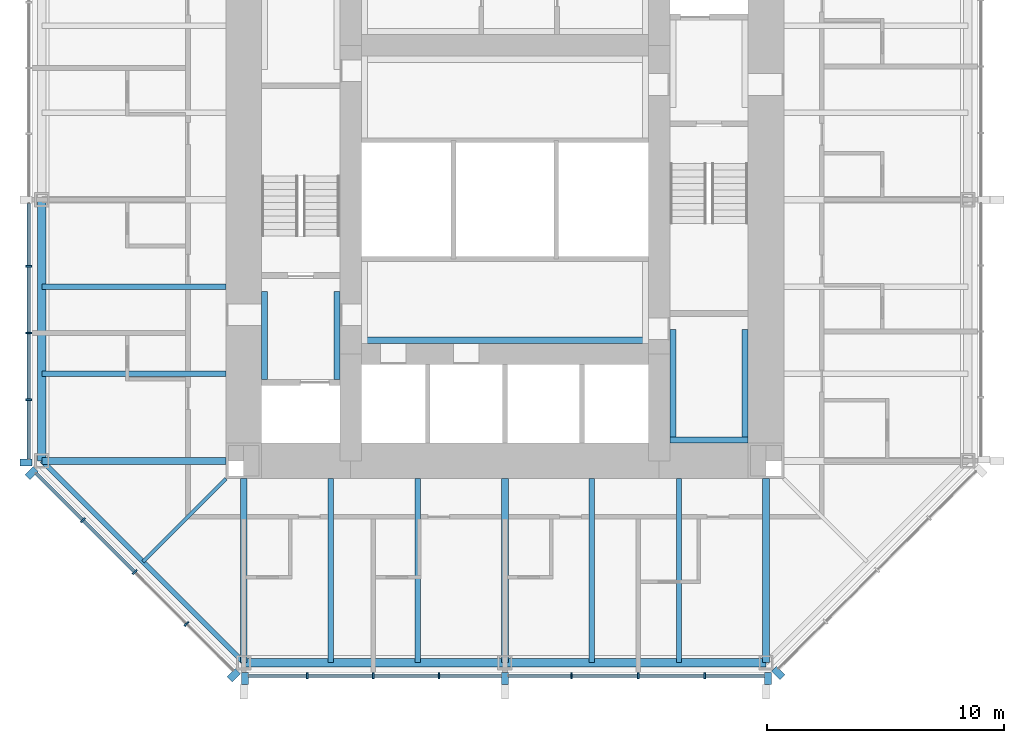
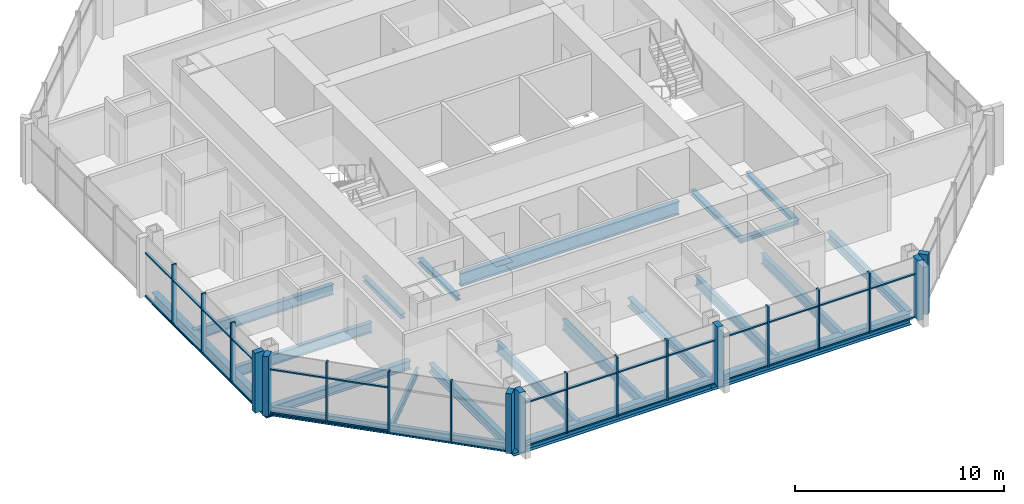
# One storey, part 2 of 12: 47 members, 21 beams, 4 elements without a shape of their own.
"""IFC4 building model written with IfcOpenShell, lengths in metres."""

from ifc_helpers import new_model, si_unit, direction, frame, origin, origin_2d, place, context, subcontext, project, spatial, rectangle, i_section, extrude, material, material_profile, profile_set, type_object, element, aggregate, save


model = new_model("IFC4")

# Units and contexts
model_context = context("Model", 3, precision=1e-05, world=origin(), true_north=direction((0.0, 1.0)))
body_context = subcontext(model_context, "Body", "Model", "MODEL_VIEW")
ifc_project = project(units=[si_unit("LENGTHUNIT", "METRE"), si_unit("AREAUNIT", "SQUARE_METRE"), si_unit("VOLUMEUNIT", "CUBIC_METRE"), si_unit("PLANEANGLEUNIT", "RADIAN"), si_unit("MASSUNIT", "GRAM", prefix="KILO")], contexts=[model_context])

# Site, building, storey
site_placement = place(None, origin())
site = spatial("IfcSite", under=ifc_project, at=site_placement, CompositionType="ELEMENT")
building_placement = place(site_placement, origin())
building = spatial("IfcBuilding", under=site, at=building_placement, Name="Trevanion Tower", CompositionType="ELEMENT")
storey_placement = place(building_placement, frame((0.0, 0.0, 190.699951171875)))
storey = spatial("IfcBuildingStorey", under=building, at=storey_placement, Name="L44", CompositionType="ELEMENT", Elevation=190.699951171875)

# Beams
ifc_material_1 = material(Name="Steel ASTM A992 Grade 50", Category="steel")
ifc_material_profile_1 = material_profile(ifc_material_1, i_section(OverallWidth=0.228271484375, OverallDepth=0.607177734375, WebThickness=0.01123046875, FlangeThickness=0.017333984375, at=origin_2d()), Name="W24X76")
ifc_profile_set_1 = profile_set([ifc_material_profile_1], Name="Steel ASTM A992 Grade 50")
beam_type_1 = type_object("IfcBeamType", Name="B11 W24X76", PredefinedType="BEAM", material=ifc_profile_set_1)
for number, where, z_axis, x_axis, name in (
    (1, (-11.75, -3.666748046875, -0.493408203125), (-1.0, 0.0, 0.0), (0.0, -1.0, 0.0), "B11 L44"),
    (2, (-11.75, -7.333251953125, -0.493408203125), (-1.0, 0.0, 0.0), (0.0, -1.0, 0.0), "B11 L44"),
    (3, (-7.333251953125, -11.75, -0.493408203125), (0.0, -1.0, 0.0), (1.0, 0.0, 0.0), "B11 L44"),
    (4, (-3.666748046875, -11.75, -0.493408203125), (0.0, -1.0, 0.0), (1.0, 0.0, 0.0), "B11 L44"),
    (5, (3.666748046875, -11.75, -0.493408203125), (0.0, -1.0, 0.0), (1.0, 0.0, 0.0), "B11 L44"),
    (6, (7.333251953125, -11.75, -0.493408203125), (0.0, -1.0, 0.0), (1.0, 0.0, 0.0), "B11 L44"),
):
    element("IfcBeam", number, at=place(storey_placement, frame(where, z_axis=z_axis, x_axis=x_axis)), inside=storey, type_object=beam_type_1, Name=name, PredefinedType="BEAM", context=body_context, shape_type="SweptSolid", body=[
        extrude(i_section(OverallWidth=0.228271484375, OverallDepth=0.607177734375, WebThickness=0.01123046875, FlangeThickness=0.017333984375, at=origin_2d()), origin(), (0.0, 0.0, 1.0), 7.75),
    ])
ifc_material_2 = material(Name="Steel ASTM A992 Grade 50", Category="steel")
ifc_material_profile_2 = material_profile(ifc_material_2, i_section(OverallWidth=0.15234375, OverallDepth=0.449462890625, WebThickness=0.007568359375, FlangeThickness=0.0107421875, at=origin_2d()), Name="W18X35")
ifc_profile_set_2 = profile_set([ifc_material_profile_2], Name="Steel ASTM A992 Grade 50")
beam_type_2 = type_object("IfcBeamType", Name="B12 W18X35", PredefinedType="BEAM", material=ifc_profile_set_2)
beam_1_placement = place(storey_placement, frame((-11.75, -11.75, -0.414794921875), z_axis=(-0.707106781187, -0.707106781187, 0.0), x_axis=(0.707106781187, -0.707106781187, 0.0)))
element("IfcBeam", 7, at=beam_1_placement, inside=storey, type_object=beam_type_2, Name="B12 L44", PredefinedType="BEAM", context=body_context, shape_type="SweptSolid", body=[
    extrude(i_section(OverallWidth=0.15234375, OverallDepth=0.449462890625, WebThickness=0.007568359375, FlangeThickness=0.0107421875, at=origin_2d()), origin(), (0.0, 0.0, 1.0), 4.94970703125),
])

# Curtain wall, members
ifc_material_3 = material(Name="Aluminium and glass", Category="aluminium")
curtain_wall_type = type_object("IfcCurtainWallType", Name="CW3 curtain wall", PredefinedType="USERDEFINED", material=ifc_material_3)
curtain_wall_1_placement = place(storey_placement, origin())
curtain_wall_1 = element("IfcCurtainWall", 8, at=curtain_wall_1_placement, inside=storey, type_object=curtain_wall_type, Name="CW3 L44 4", ObjectType="UNITISED CURTAIN WALL", PredefinedType="USERDEFINED")
ifc_material_4 = material(Name="Aluminium extrusion, anodised bronze", Category="aluminium")
ifc_material_profile_3 = material_profile(ifc_material_4, rectangle(XDim=0.074951171875, YDim=0.25, at=origin_2d()), Name="CW3 mullion")
ifc_profile_set_3 = profile_set([ifc_material_profile_3], Name="Aluminium extrusion, anodised bronze")
member_type_1 = type_object("IfcMemberType", Name="CW3 mullion", PredefinedType="MULLION", material=ifc_profile_set_3)
member_1_placement = place(storey_placement, frame((-20.050048828125, -2.806884765625, -0.18994140625), z_axis=(0.0, 0.0, 1.0), x_axis=(0.0, -1.0, 0.0)))
member_1 = element("IfcMember", 9, at=member_1_placement, type_object=member_type_1, Name="CW3 mullion 6", PredefinedType="MULLION", context=body_context, shape_type="SweptSolid", body=[
    extrude(rectangle(XDim=0.074951171875, YDim=0.25, at=origin_2d()), origin(), (0.0, 0.0, 1.0), 3.5),
])
member_2_placement = place(storey_placement, frame((-20.050048828125, -5.614013671875, -0.18994140625), z_axis=(0.0, 0.0, 1.0), x_axis=(0.0, -1.0, 0.0)))
member_2 = element("IfcMember", 10, at=member_2_placement, type_object=member_type_1, Name="CW3 mullion 7", PredefinedType="MULLION", context=body_context, shape_type="SweptSolid", body=[
    extrude(rectangle(XDim=0.074951171875, YDim=0.25, at=origin_2d()), origin(), (0.0, 0.0, 1.0), 3.5),
])
member_3_placement = place(storey_placement, frame((-20.050048828125, -8.4208984375, -0.18994140625), z_axis=(0.0, 0.0, 1.0), x_axis=(0.0, -1.0, 0.0)))
member_3 = element("IfcMember", 11, at=member_3_placement, type_object=member_type_1, Name="CW3 mullion 8", PredefinedType="MULLION", context=body_context, shape_type="SweptSolid", body=[
    extrude(rectangle(XDim=0.074951171875, YDim=0.25, at=origin_2d()), origin(), (0.0, 0.0, 1.0), 3.5),
])

curtain_wall_2_placement = place(storey_placement, origin())
curtain_wall_2 = element("IfcCurtainWall", 12, at=curtain_wall_2_placement, inside=storey, type_object=curtain_wall_type, Name="CW3 L44 5", ObjectType="UNITISED CURTAIN WALL", PredefinedType="USERDEFINED")
member_4_placement = place(storey_placement, frame((-17.775390625, -13.502197265625, -0.18994140625), z_axis=(0.0, 0.0, 1.0), x_axis=(0.707106781187, -0.707106781187, 0.0)))
member_4 = element("IfcMember", 13, at=member_4_placement, type_object=member_type_1, Name="CW3 mullion 2", PredefinedType="MULLION", context=body_context, shape_type="SweptSolid", body=[
    extrude(rectangle(XDim=0.074951171875, YDim=0.25, at=origin_2d()), origin(), (0.0, 0.0, 1.0), 3.5),
])
member_5_placement = place(storey_placement, frame((-15.593017578125, -15.684814453125, -0.18994140625), z_axis=(0.0, 0.0, 1.0), x_axis=(0.707106781187, -0.707106781187, 0.0)))
member_5 = element("IfcMember", 14, at=member_5_placement, type_object=member_type_1, Name="CW3 mullion 3", PredefinedType="MULLION", context=body_context, shape_type="SweptSolid", body=[
    extrude(rectangle(XDim=0.074951171875, YDim=0.25, at=origin_2d()), origin(), (0.0, 0.0, 1.0), 3.5),
])
member_6_placement = place(storey_placement, frame((-13.410400390625, -17.867431640625, -0.18994140625), z_axis=(0.0, 0.0, 1.0), x_axis=(0.707106781187, -0.707106781187, 0.0)))
member_6 = element("IfcMember", 15, at=member_6_placement, type_object=member_type_1, Name="CW3 mullion 4", PredefinedType="MULLION", context=body_context, shape_type="SweptSolid", body=[
    extrude(rectangle(XDim=0.074951171875, YDim=0.25, at=origin_2d()), origin(), (0.0, 0.0, 1.0), 3.5),
])

curtain_wall_3_placement = place(storey_placement, origin())
curtain_wall_3 = element("IfcCurtainWall", 16, at=curtain_wall_3_placement, inside=storey, type_object=curtain_wall_type, Name="CW3 L44 6", ObjectType="UNITISED CURTAIN WALL", PredefinedType="USERDEFINED")
member_7_placement = place(storey_placement, frame((-8.323486328125, -20.050048828125, -0.18994140625), z_axis=(0.0, 0.0, 1.0), x_axis=(1.0, 0.0, 0.0)))
member_7 = element("IfcMember", 17, at=member_7_placement, type_object=member_type_1, Name="CW3 mullion 2", PredefinedType="MULLION", context=body_context, shape_type="SweptSolid", body=[
    extrude(rectangle(XDim=0.074951171875, YDim=0.25, at=origin_2d()), origin(), (0.0, 0.0, 1.0), 3.5),
])
member_8_placement = place(storey_placement, frame((-5.548828125, -20.050048828125, -0.18994140625), z_axis=(0.0, 0.0, 1.0), x_axis=(1.0, 0.0, 0.0)))
member_8 = element("IfcMember", 18, at=member_8_placement, type_object=member_type_1, Name="CW3 mullion 3", PredefinedType="MULLION", context=body_context, shape_type="SweptSolid", body=[
    extrude(rectangle(XDim=0.074951171875, YDim=0.25, at=origin_2d()), origin(), (0.0, 0.0, 1.0), 3.5),
])
member_9_placement = place(storey_placement, frame((-2.7744140625, -20.050048828125, -0.18994140625), z_axis=(0.0, 0.0, 1.0), x_axis=(1.0, 0.0, 0.0)))
member_9 = element("IfcMember", 19, at=member_9_placement, type_object=member_type_1, Name="CW3 mullion 4", PredefinedType="MULLION", context=body_context, shape_type="SweptSolid", body=[
    extrude(rectangle(XDim=0.074951171875, YDim=0.25, at=origin_2d()), origin(), (0.0, 0.0, 1.0), 3.5),
])
member_10_placement = place(storey_placement, frame((2.806884765625, -20.050048828125, -0.18994140625), z_axis=(0.0, 0.0, 1.0), x_axis=(1.0, 0.0, 0.0)))
member_10 = element("IfcMember", 20, at=member_10_placement, type_object=member_type_1, Name="CW3 mullion 6", PredefinedType="MULLION", context=body_context, shape_type="SweptSolid", body=[
    extrude(rectangle(XDim=0.074951171875, YDim=0.25, at=origin_2d()), origin(), (0.0, 0.0, 1.0), 3.5),
])
member_11_placement = place(storey_placement, frame((5.614013671875, -20.050048828125, -0.18994140625), z_axis=(0.0, 0.0, 1.0), x_axis=(1.0, 0.0, 0.0)))
member_11 = element("IfcMember", 21, at=member_11_placement, type_object=member_type_1, Name="CW3 mullion 7", PredefinedType="MULLION", context=body_context, shape_type="SweptSolid", body=[
    extrude(rectangle(XDim=0.074951171875, YDim=0.25, at=origin_2d()), origin(), (0.0, 0.0, 1.0), 3.5),
])
member_12_placement = place(storey_placement, frame((8.4208984375, -20.050048828125, -0.18994140625), z_axis=(0.0, 0.0, 1.0), x_axis=(1.0, 0.0, 0.0)))
member_12 = element("IfcMember", 22, at=member_12_placement, type_object=member_type_1, Name="CW3 mullion 8", PredefinedType="MULLION", context=body_context, shape_type="SweptSolid", body=[
    extrude(rectangle(XDim=0.074951171875, YDim=0.25, at=origin_2d()), origin(), (0.0, 0.0, 1.0), 3.5),
])

# Member
ifc_material_5 = material(Name="Aluminium extrusion, anodised bronze", Category="aluminium")
ifc_material_profile_4 = material_profile(ifc_material_5, rectangle(XDim=0.300048828125, YDim=0.5, at=origin_2d()), Name="CW3 pier mullion")
ifc_profile_set_4 = profile_set([ifc_material_profile_4], Name="Aluminium extrusion, anodised bronze")
member_type_2 = type_object("IfcMemberType", Name="CW3 pier mullion", PredefinedType="MULLION", material=ifc_profile_set_4)
member_13_placement = place(storey_placement, frame((-20.175048828125, -11.077880859375, -0.18994140625), z_axis=(0.0, 0.0, 1.0), x_axis=(0.0, -1.0, 0.0)))
member_13 = element("IfcMember", 23, at=member_13_placement, type_object=member_type_2, Name="CW3 pier mullion 9", PredefinedType="MULLION", context=body_context, shape_type="SweptSolid", body=[
    extrude(rectangle(XDim=0.300048828125, YDim=0.5, at=origin_2d()), origin(), (0.0, 0.0, 1.0), 3.5),
])

member_14_placement = place(storey_placement, frame((-19.9404296875, -11.51416015625, -0.18994140625), z_axis=(0.0, 0.0, 1.0), x_axis=(0.707106781187, -0.707106781187, 0.0)))
member_14 = element("IfcMember", 24, at=member_14_placement, type_object=member_type_2, Name="CW3 pier mullion 1", PredefinedType="MULLION", context=body_context, shape_type="SweptSolid", body=[
    extrude(rectangle(XDim=0.300048828125, YDim=0.5, at=origin_2d()), origin(), (0.0, 0.0, 1.0), 3.5),
])

member_15_placement = place(storey_placement, frame((-11.42236328125, -20.0322265625, -0.18994140625), z_axis=(0.0, 0.0, 1.0), x_axis=(0.707106781187, -0.707106781187, 0.0)))
member_15 = element("IfcMember", 25, at=member_15_placement, type_object=member_type_2, Name="CW3 pier mullion 5", PredefinedType="MULLION", context=body_context, shape_type="SweptSolid", body=[
    extrude(rectangle(XDim=0.300048828125, YDim=0.5, at=origin_2d()), origin(), (0.0, 0.0, 1.0), 3.5),
])

member_16_placement = place(storey_placement, frame((-10.94775390625, -20.175048828125, -0.18994140625), z_axis=(0.0, 0.0, 1.0), x_axis=(1.0, 0.0, 0.0)))
member_16 = element("IfcMember", 26, at=member_16_placement, type_object=member_type_2, Name="CW3 pier mullion 1", PredefinedType="MULLION", context=body_context, shape_type="SweptSolid", body=[
    extrude(rectangle(XDim=0.300048828125, YDim=0.5, at=origin_2d()), origin(), (0.0, 0.0, 1.0), 3.5),
])

member_17_placement = place(storey_placement, frame((0.0, -20.175048828125, -0.18994140625), z_axis=(0.0, 0.0, 1.0), x_axis=(1.0, 0.0, 0.0)))
member_17 = element("IfcMember", 27, at=member_17_placement, type_object=member_type_2, Name="CW3 pier mullion 5", PredefinedType="MULLION", context=body_context, shape_type="SweptSolid", body=[
    extrude(rectangle(XDim=0.300048828125, YDim=0.5, at=origin_2d()), origin(), (0.0, 0.0, 1.0), 3.5),
])

member_18_placement = place(storey_placement, frame((11.077880859375, -20.175048828125, -0.18994140625), z_axis=(0.0, 0.0, 1.0), x_axis=(1.0, 0.0, 0.0)))
member_18 = element("IfcMember", 28, at=member_18_placement, type_object=member_type_2, Name="CW3 pier mullion 9", PredefinedType="MULLION", context=body_context, shape_type="SweptSolid", body=[
    extrude(rectangle(XDim=0.300048828125, YDim=0.5, at=origin_2d()), origin(), (0.0, 0.0, 1.0), 3.5),
])

# Curtain wall, member
curtain_wall_4_placement = place(storey_placement, origin())
curtain_wall_4 = element("IfcCurtainWall", 29, at=curtain_wall_4_placement, inside=storey, type_object=curtain_wall_type, Name="CW3 L44 7", ObjectType="UNITISED CURTAIN WALL", PredefinedType="USERDEFINED")
member_19_placement = place(storey_placement, frame((11.51416015625, -19.9404296875, -0.18994140625), z_axis=(0.0, 0.0, 1.0), x_axis=(0.707106781187, 0.707106781187, 0.0)))
member_19 = element("IfcMember", 30, at=member_19_placement, type_object=member_type_2, Name="CW3 pier mullion 1", PredefinedType="MULLION", context=body_context, shape_type="SweptSolid", body=[
    extrude(rectangle(XDim=0.300048828125, YDim=0.5, at=origin_2d()), origin(), (0.0, 0.0, 1.0), 3.5),
])
aggregate(curtain_wall_4, [member_19])

# Member
ifc_material_6 = material(Name="Aluminium extrusion, anodised bronze", Category="aluminium")
ifc_material_profile_5 = material_profile(ifc_material_6, rectangle(XDim=0.14990234375, YDim=0.074951171875, at=origin_2d()), Name="CW3 transom")
ifc_profile_set_5 = profile_set([ifc_material_profile_5], Name="Aluminium extrusion, anodised bronze")
member_type_3 = type_object("IfcMemberType", Name="CW3 transom", PredefinedType="USERDEFINED", material=ifc_profile_set_5)
member_20_placement = place(storey_placement, frame((-20.050048828125, -0.14990234375, -0.15234375), z_axis=(0.0, -1.0, 0.0), x_axis=(1.0, 0.0, 0.0)))
member_20 = element("IfcMember", 31, at=member_20_placement, type_object=member_type_3, Name="CW3 transom 5.1", ObjectType="TRANSOM", PredefinedType="USERDEFINED", context=body_context, shape_type="SweptSolid", body=[
    extrude(rectangle(XDim=0.14990234375, YDim=0.074951171875, at=origin_2d()), origin(), (0.0, 0.0, 1.0), 2.619384765625),
])

member_21_placement = place(storey_placement, frame((-20.050048828125, -0.14990234375, 2.360107421875), z_axis=(0.0, -1.0, 0.0), x_axis=(1.0, 0.0, 0.0)))
member_21 = element("IfcMember", 32, at=member_21_placement, type_object=member_type_3, Name="CW3 transom 5.2", ObjectType="TRANSOM", PredefinedType="USERDEFINED", context=body_context, shape_type="SweptSolid", body=[
    extrude(rectangle(XDim=0.14990234375, YDim=0.074951171875, at=origin_2d()), origin(), (0.0, 0.0, 1.0), 2.619384765625),
])

member_22_placement = place(storey_placement, frame((-20.050048828125, -2.844482421875, -0.15234375), z_axis=(0.0, -1.0, 0.0), x_axis=(1.0, 0.0, 0.0)))
member_22 = element("IfcMember", 33, at=member_22_placement, type_object=member_type_3, Name="CW3 transom 6.1", ObjectType="TRANSOM", PredefinedType="USERDEFINED", context=body_context, shape_type="SweptSolid", body=[
    extrude(rectangle(XDim=0.14990234375, YDim=0.074951171875, at=origin_2d()), origin(), (0.0, 0.0, 1.0), 2.73193359375),
])

member_23_placement = place(storey_placement, frame((-20.050048828125, -2.844482421875, 2.360107421875), z_axis=(0.0, -1.0, 0.0), x_axis=(1.0, 0.0, 0.0)))
member_23 = element("IfcMember", 34, at=member_23_placement, type_object=member_type_3, Name="CW3 transom 6.2", ObjectType="TRANSOM", PredefinedType="USERDEFINED", context=body_context, shape_type="SweptSolid", body=[
    extrude(rectangle(XDim=0.14990234375, YDim=0.074951171875, at=origin_2d()), origin(), (0.0, 0.0, 1.0), 2.73193359375),
])

member_24_placement = place(storey_placement, frame((-20.050048828125, -5.6513671875, -0.15234375), z_axis=(0.0, -1.0, 0.0), x_axis=(1.0, 0.0, 0.0)))
member_24 = element("IfcMember", 35, at=member_24_placement, type_object=member_type_3, Name="CW3 transom 7.1", ObjectType="TRANSOM", PredefinedType="USERDEFINED", context=body_context, shape_type="SweptSolid", body=[
    extrude(rectangle(XDim=0.14990234375, YDim=0.074951171875, at=origin_2d()), origin(), (0.0, 0.0, 1.0), 2.73193359375),
])

member_25_placement = place(storey_placement, frame((-20.050048828125, -5.6513671875, 2.360107421875), z_axis=(0.0, -1.0, 0.0), x_axis=(1.0, 0.0, 0.0)))
member_25 = element("IfcMember", 36, at=member_25_placement, type_object=member_type_3, Name="CW3 transom 7.2", ObjectType="TRANSOM", PredefinedType="USERDEFINED", context=body_context, shape_type="SweptSolid", body=[
    extrude(rectangle(XDim=0.14990234375, YDim=0.074951171875, at=origin_2d()), origin(), (0.0, 0.0, 1.0), 2.73193359375),
])

member_26_placement = place(storey_placement, frame((-20.050048828125, -8.45849609375, -0.15234375), z_axis=(0.0, -1.0, 0.0), x_axis=(1.0, 0.0, 0.0)))
member_26 = element("IfcMember", 37, at=member_26_placement, type_object=member_type_3, Name="CW3 transom 8.1", ObjectType="TRANSOM", PredefinedType="USERDEFINED", context=body_context, shape_type="SweptSolid", body=[
    extrude(rectangle(XDim=0.14990234375, YDim=0.074951171875, at=origin_2d()), origin(), (0.0, 0.0, 1.0), 2.46923828125),
])

member_27_placement = place(storey_placement, frame((-20.050048828125, -8.45849609375, 2.360107421875), z_axis=(0.0, -1.0, 0.0), x_axis=(1.0, 0.0, 0.0)))
member_27 = element("IfcMember", 38, at=member_27_placement, type_object=member_type_3, Name="CW3 transom 8.2", ObjectType="TRANSOM", PredefinedType="USERDEFINED", context=body_context, shape_type="SweptSolid", body=[
    extrude(rectangle(XDim=0.14990234375, YDim=0.074951171875, at=origin_2d()), origin(), (0.0, 0.0, 1.0), 2.46923828125),
])

aggregate(curtain_wall_1, [member_1, member_2, member_3, member_13, member_20, member_21, member_22, member_23, member_24, member_25, member_26, member_27])

member_28_placement = place(storey_placement, frame((-19.745849609375, -11.531982421875, -0.15234375), z_axis=(0.707106781187, -0.707106781187, 0.0), x_axis=(0.707106781187, 0.707106781187, 0.0)))
member_28 = element("IfcMember", 39, at=member_28_placement, type_object=member_type_3, Name="CW3 transom 1.1", ObjectType="TRANSOM", PredefinedType="USERDEFINED", context=body_context, shape_type="SweptSolid", body=[
    extrude(rectangle(XDim=0.14990234375, YDim=0.074951171875, at=origin_2d()), origin(), (0.0, 0.0, 1.0), 2.7490234375),
])

member_29_placement = place(storey_placement, frame((-19.745849609375, -11.531982421875, 2.360107421875), z_axis=(0.707106781187, -0.707106781187, 0.0), x_axis=(0.707106781187, 0.707106781187, 0.0)))
member_29 = element("IfcMember", 40, at=member_29_placement, type_object=member_type_3, Name="CW3 transom 1.2", ObjectType="TRANSOM", PredefinedType="USERDEFINED", context=body_context, shape_type="SweptSolid", body=[
    extrude(rectangle(XDim=0.14990234375, YDim=0.074951171875, at=origin_2d()), origin(), (0.0, 0.0, 1.0), 2.7490234375),
])

member_30_placement = place(storey_placement, frame((-17.7490234375, -13.52880859375, -0.15234375), z_axis=(0.707106781187, -0.707106781187, 0.0), x_axis=(0.707106781187, 0.707106781187, 0.0)))
member_30 = element("IfcMember", 41, at=member_30_placement, type_object=member_type_3, Name="CW3 transom 2.1", ObjectType="TRANSOM", PredefinedType="USERDEFINED", context=body_context, shape_type="SweptSolid", body=[
    extrude(rectangle(XDim=0.14990234375, YDim=0.074951171875, at=origin_2d()), origin(), (0.0, 0.0, 1.0), 3.01171875),
])

member_31_placement = place(storey_placement, frame((-17.7490234375, -13.52880859375, 2.360107421875), z_axis=(0.707106781187, -0.707106781187, 0.0), x_axis=(0.707106781187, 0.707106781187, 0.0)))
member_31 = element("IfcMember", 42, at=member_31_placement, type_object=member_type_3, Name="CW3 transom 2.2", ObjectType="TRANSOM", PredefinedType="USERDEFINED", context=body_context, shape_type="SweptSolid", body=[
    extrude(rectangle(XDim=0.14990234375, YDim=0.074951171875, at=origin_2d()), origin(), (0.0, 0.0, 1.0), 3.01171875),
])

aggregate(curtain_wall_2, [member_14, member_4, member_5, member_6, member_15, member_28, member_29, member_30, member_31])

member_32_placement = place(storey_placement, frame((-10.7978515625, -20.050048828125, -0.15234375), z_axis=(1.0, 0.0, 0.0), x_axis=(0.0, 1.0, 0.0)))
member_32 = element("IfcMember", 43, at=member_32_placement, type_object=member_type_3, Name="CW3 transom 1.1", ObjectType="TRANSOM", PredefinedType="USERDEFINED", context=body_context, shape_type="SweptSolid", body=[
    extrude(rectangle(XDim=0.14990234375, YDim=0.074951171875, at=origin_2d()), origin(), (0.0, 0.0, 1.0), 2.43701171875),
])

member_33_placement = place(storey_placement, frame((-10.7978515625, -20.050048828125, 2.360107421875), z_axis=(1.0, 0.0, 0.0), x_axis=(0.0, 1.0, 0.0)))
member_33 = element("IfcMember", 44, at=member_33_placement, type_object=member_type_3, Name="CW3 transom 1.2", ObjectType="TRANSOM", PredefinedType="USERDEFINED", context=body_context, shape_type="SweptSolid", body=[
    extrude(rectangle(XDim=0.14990234375, YDim=0.074951171875, at=origin_2d()), origin(), (0.0, 0.0, 1.0), 2.43701171875),
])

member_34_placement = place(storey_placement, frame((-8.285888671875, -20.050048828125, -0.15234375), z_axis=(1.0, 0.0, 0.0), x_axis=(0.0, 1.0, 0.0)))
member_34 = element("IfcMember", 45, at=member_34_placement, type_object=member_type_3, Name="CW3 transom 2.1", ObjectType="TRANSOM", PredefinedType="USERDEFINED", context=body_context, shape_type="SweptSolid", body=[
    extrude(rectangle(XDim=0.14990234375, YDim=0.074951171875, at=origin_2d()), origin(), (0.0, 0.0, 1.0), 2.699462890625),
])

member_35_placement = place(storey_placement, frame((-8.285888671875, -20.050048828125, 2.360107421875), z_axis=(1.0, 0.0, 0.0), x_axis=(0.0, 1.0, 0.0)))
member_35 = element("IfcMember", 46, at=member_35_placement, type_object=member_type_3, Name="CW3 transom 2.2", ObjectType="TRANSOM", PredefinedType="USERDEFINED", context=body_context, shape_type="SweptSolid", body=[
    extrude(rectangle(XDim=0.14990234375, YDim=0.074951171875, at=origin_2d()), origin(), (0.0, 0.0, 1.0), 2.699462890625),
])

member_36_placement = place(storey_placement, frame((-5.511474609375, -20.050048828125, -0.15234375), z_axis=(1.0, 0.0, 0.0), x_axis=(0.0, 1.0, 0.0)))
member_36 = element("IfcMember", 47, at=member_36_placement, type_object=member_type_3, Name="CW3 transom 3.1", ObjectType="TRANSOM", PredefinedType="USERDEFINED", context=body_context, shape_type="SweptSolid", body=[
    extrude(rectangle(XDim=0.14990234375, YDim=0.074951171875, at=origin_2d()), origin(), (0.0, 0.0, 1.0), 2.699462890625),
])

member_37_placement = place(storey_placement, frame((-5.511474609375, -20.050048828125, 2.360107421875), z_axis=(1.0, 0.0, 0.0), x_axis=(0.0, 1.0, 0.0)))
member_37 = element("IfcMember", 48, at=member_37_placement, type_object=member_type_3, Name="CW3 transom 3.2", ObjectType="TRANSOM", PredefinedType="USERDEFINED", context=body_context, shape_type="SweptSolid", body=[
    extrude(rectangle(XDim=0.14990234375, YDim=0.074951171875, at=origin_2d()), origin(), (0.0, 0.0, 1.0), 2.699462890625),
])

member_38_placement = place(storey_placement, frame((-2.737060546875, -20.050048828125, -0.15234375), z_axis=(1.0, 0.0, 0.0), x_axis=(0.0, 1.0, 0.0)))
member_38 = element("IfcMember", 49, at=member_38_placement, type_object=member_type_3, Name="CW3 transom 4.1", ObjectType="TRANSOM", PredefinedType="USERDEFINED", context=body_context, shape_type="SweptSolid", body=[
    extrude(rectangle(XDim=0.14990234375, YDim=0.074951171875, at=origin_2d()), origin(), (0.0, 0.0, 1.0), 2.587158203125),
])

member_39_placement = place(storey_placement, frame((-2.737060546875, -20.050048828125, 2.360107421875), z_axis=(1.0, 0.0, 0.0), x_axis=(0.0, 1.0, 0.0)))
member_39 = element("IfcMember", 50, at=member_39_placement, type_object=member_type_3, Name="CW3 transom 4.2", ObjectType="TRANSOM", PredefinedType="USERDEFINED", context=body_context, shape_type="SweptSolid", body=[
    extrude(rectangle(XDim=0.14990234375, YDim=0.074951171875, at=origin_2d()), origin(), (0.0, 0.0, 1.0), 2.587158203125),
])

member_40_placement = place(storey_placement, frame((0.14990234375, -20.050048828125, -0.15234375), z_axis=(1.0, 0.0, 0.0), x_axis=(0.0, 1.0, 0.0)))
member_40 = element("IfcMember", 51, at=member_40_placement, type_object=member_type_3, Name="CW3 transom 5.1", ObjectType="TRANSOM", PredefinedType="USERDEFINED", context=body_context, shape_type="SweptSolid", body=[
    extrude(rectangle(XDim=0.14990234375, YDim=0.074951171875, at=origin_2d()), origin(), (0.0, 0.0, 1.0), 2.619384765625),
])

member_41_placement = place(storey_placement, frame((0.14990234375, -20.050048828125, 2.360107421875), z_axis=(1.0, 0.0, 0.0), x_axis=(0.0, 1.0, 0.0)))
member_41 = element("IfcMember", 52, at=member_41_placement, type_object=member_type_3, Name="CW3 transom 5.2", ObjectType="TRANSOM", PredefinedType="USERDEFINED", context=body_context, shape_type="SweptSolid", body=[
    extrude(rectangle(XDim=0.14990234375, YDim=0.074951171875, at=origin_2d()), origin(), (0.0, 0.0, 1.0), 2.619384765625),
])

member_42_placement = place(storey_placement, frame((2.844482421875, -20.050048828125, -0.15234375), z_axis=(1.0, 0.0, 0.0), x_axis=(0.0, 1.0, 0.0)))
member_42 = element("IfcMember", 53, at=member_42_placement, type_object=member_type_3, Name="CW3 transom 6.1", ObjectType="TRANSOM", PredefinedType="USERDEFINED", context=body_context, shape_type="SweptSolid", body=[
    extrude(rectangle(XDim=0.14990234375, YDim=0.074951171875, at=origin_2d()), origin(), (0.0, 0.0, 1.0), 2.73193359375),
])

member_43_placement = place(storey_placement, frame((2.844482421875, -20.050048828125, 2.360107421875), z_axis=(1.0, 0.0, 0.0), x_axis=(0.0, 1.0, 0.0)))
member_43 = element("IfcMember", 54, at=member_43_placement, type_object=member_type_3, Name="CW3 transom 6.2", ObjectType="TRANSOM", PredefinedType="USERDEFINED", context=body_context, shape_type="SweptSolid", body=[
    extrude(rectangle(XDim=0.14990234375, YDim=0.074951171875, at=origin_2d()), origin(), (0.0, 0.0, 1.0), 2.73193359375),
])

member_44_placement = place(storey_placement, frame((5.6513671875, -20.050048828125, -0.15234375), z_axis=(1.0, 0.0, 0.0), x_axis=(0.0, 1.0, 0.0)))
member_44 = element("IfcMember", 55, at=member_44_placement, type_object=member_type_3, Name="CW3 transom 7.1", ObjectType="TRANSOM", PredefinedType="USERDEFINED", context=body_context, shape_type="SweptSolid", body=[
    extrude(rectangle(XDim=0.14990234375, YDim=0.074951171875, at=origin_2d()), origin(), (0.0, 0.0, 1.0), 2.73193359375),
])

member_45_placement = place(storey_placement, frame((5.6513671875, -20.050048828125, 2.360107421875), z_axis=(1.0, 0.0, 0.0), x_axis=(0.0, 1.0, 0.0)))
member_45 = element("IfcMember", 56, at=member_45_placement, type_object=member_type_3, Name="CW3 transom 7.2", ObjectType="TRANSOM", PredefinedType="USERDEFINED", context=body_context, shape_type="SweptSolid", body=[
    extrude(rectangle(XDim=0.14990234375, YDim=0.074951171875, at=origin_2d()), origin(), (0.0, 0.0, 1.0), 2.73193359375),
])

member_46_placement = place(storey_placement, frame((8.45849609375, -20.050048828125, -0.15234375), z_axis=(1.0, 0.0, 0.0), x_axis=(0.0, 1.0, 0.0)))
member_46 = element("IfcMember", 57, at=member_46_placement, type_object=member_type_3, Name="CW3 transom 8.1", ObjectType="TRANSOM", PredefinedType="USERDEFINED", context=body_context, shape_type="SweptSolid", body=[
    extrude(rectangle(XDim=0.14990234375, YDim=0.074951171875, at=origin_2d()), origin(), (0.0, 0.0, 1.0), 2.46923828125),
])

member_47_placement = place(storey_placement, frame((8.45849609375, -20.050048828125, 2.360107421875), z_axis=(1.0, 0.0, 0.0), x_axis=(0.0, 1.0, 0.0)))
member_47 = element("IfcMember", 58, at=member_47_placement, type_object=member_type_3, Name="CW3 transom 8.2", ObjectType="TRANSOM", PredefinedType="USERDEFINED", context=body_context, shape_type="SweptSolid", body=[
    extrude(rectangle(XDim=0.14990234375, YDim=0.074951171875, at=origin_2d()), origin(), (0.0, 0.0, 1.0), 2.46923828125),
])

aggregate(curtain_wall_3, [member_16, member_7, member_8, member_9, member_17, member_10, member_11, member_12, member_18, member_32, member_33, member_34, member_35, member_36, member_37, member_38, member_39, member_40, member_41, member_42, member_43, member_44, member_45, member_46, member_47])

# Beams
ifc_material_7 = material(Name="Steel ASTM A992 Grade 50", Category="steel")
ifc_material_profile_6 = material_profile(ifc_material_7, i_section(OverallWidth=0.28955078125, OverallDepth=0.508056640625, WebThickness=0.022705078125, FlangeThickness=0.040283203125, at=origin_2d()), Name="W18X175")
ifc_profile_set_6 = profile_set([ifc_material_profile_6], Name="Steel ASTM A992 Grade 50")
beam_type_3 = type_object("IfcBeamType", Name="G6 W18X175", PredefinedType="BEAM", material=ifc_profile_set_6)
for number, where, z_axis, x_axis, name in (
    (59, (-11.75, -11.0, -0.44384765625), (-1.0, 0.0, 0.0), (0.0, -1.0, 0.0), "G6 L44"),
    (60, (-11.0, -11.75, -0.44384765625), (0.0, -1.0, 0.0), (1.0, 0.0, 0.0), "G6 L44"),
    (61, (0.0, -11.75, -0.44384765625), (0.0, -1.0, 0.0), (1.0, 0.0, 0.0), "G6 L44"),
    (62, (11.0, -11.75, -0.44384765625), (0.0, -1.0, 0.0), (1.0, 0.0, 0.0), "G6 L44"),
):
    element("IfcBeam", number, at=place(storey_placement, frame(where, z_axis=z_axis, x_axis=x_axis)), inside=storey, type_object=beam_type_3, Name=name, PredefinedType="BEAM", context=body_context, shape_type="SweptSolid", body=[
        extrude(i_section(OverallWidth=0.28955078125, OverallDepth=0.508056640625, WebThickness=0.022705078125, FlangeThickness=0.040283203125, at=origin_2d()), origin(), (0.0, 0.0, 1.0), 7.75),
    ])
ifc_material_8 = material(Name="Steel ASTM A992 Grade 50", Category="steel")
ifc_material_profile_7 = material_profile(ifc_material_8, i_section(OverallWidth=0.256591796875, OverallDepth=0.26416015625, WebThickness=0.011962890625, FlangeThickness=0.01953125, at=origin_2d()), Name="W10X68")
ifc_profile_set_7 = profile_set([ifc_material_profile_7], Name="Steel ASTM A992 Grade 50")
beam_type_4 = type_object("IfcBeamType", Name="LB1 W10X68", PredefinedType="BEAM", material=ifc_profile_set_7)
for number, where, z_axis, x_axis, name in (
    (63, (-10.12158203125, -7.574951171875, -0.33203125), (0.0, 1.0, 0.0), (-1.0, 0.0, 0.0), "LB1 L44"),
    (64, (-7.078369140625, -7.574951171875, -0.33203125), (0.0, 1.0, 0.0), (-1.0, 0.0, 0.0), "LB1 L44"),
):
    element("IfcBeam", number, at=place(storey_placement, frame(where, z_axis=z_axis, x_axis=x_axis)), inside=storey, type_object=beam_type_4, Name=name, PredefinedType="BEAM", context=body_context, shape_type="SweptSolid", body=[
        extrude(i_section(OverallWidth=0.256591796875, OverallDepth=0.26416015625, WebThickness=0.011962890625, FlangeThickness=0.01953125, at=origin_2d()), origin(), (0.0, 0.0, 1.0), 3.699951171875),
    ])
for number, where, z_axis, x_axis, name in (
    (65, (7.078369140625, -10.25, -0.33203125), (0.0, 1.0, 0.0), (-1.0, 0.0, 0.0), "LB1 L44"),
    (66, (10.12158203125, -10.25, -0.33203125), (0.0, 1.0, 0.0), (-1.0, 0.0, 0.0), "LB1 L44"),
):
    element("IfcBeam", number, at=place(storey_placement, frame(where, z_axis=z_axis, x_axis=x_axis)), inside=storey, type_object=beam_type_4, Name=name, PredefinedType="BEAM", context=body_context, shape_type="SweptSolid", body=[
        extrude(i_section(OverallWidth=0.256591796875, OverallDepth=0.26416015625, WebThickness=0.011962890625, FlangeThickness=0.01953125, at=origin_2d()), origin(), (0.0, 0.0, 1.0), 4.77490234375),
    ])
beam_2_placement = place(storey_placement, frame((6.949951171875, -10.12158203125, -0.33203125), z_axis=(1.0, 0.0, 0.0), x_axis=(0.0, 1.0, 0.0)))
element("IfcBeam", 67, at=beam_2_placement, inside=storey, type_object=beam_type_4, Name="LB1 L44", PredefinedType="BEAM", context=body_context, shape_type="SweptSolid", body=[
    extrude(i_section(OverallWidth=0.256591796875, OverallDepth=0.26416015625, WebThickness=0.011962890625, FlangeThickness=0.01953125, at=origin_2d()), origin(), (0.0, 0.0, 1.0), 3.300048828125),
])
ifc_material_9 = material(Name="Steel ASTM A992 Grade 50", Category="steel")
ifc_material_profile_8 = material_profile(ifc_material_9, i_section(OverallWidth=0.2666015625, OverallDepth=0.76953125, WebThickness=0.015625, FlangeThickness=0.025390625, at=origin_2d()), Name="W30X132")
ifc_profile_set_8 = profile_set([ifc_material_profile_8], Name="Steel ASTM A992 Grade 50")
beam_type_5 = type_object("IfcBeamType", Name="LB3 W30X132", PredefinedType="BEAM", material=ifc_profile_set_8)
beam_3_placement = place(storey_placement, frame((-6.050048828125, -5.91650390625, -0.584716796875), z_axis=(1.0, 0.0, 0.0), x_axis=(0.0, 1.0, 0.0)))
element("IfcBeam", 68, at=beam_3_placement, inside=storey, type_object=beam_type_5, Name="LB3 L44", PredefinedType="BEAM", context=body_context, shape_type="SweptSolid", body=[
    extrude(i_section(OverallWidth=0.2666015625, OverallDepth=0.76953125, WebThickness=0.015625, FlangeThickness=0.025390625, at=origin_2d()), origin(), (0.0, 0.0, 1.0), 12.10009765625),
])
ifc_material_10 = material(Name="Steel ASTM A992 Grade 50", Category="steel")
ifc_material_profile_9 = material_profile(ifc_material_10, i_section(OverallWidth=0.355712890625, OverallDepth=0.696044921875, WebThickness=0.015380859375, FlangeThickness=0.024658203125, at=origin_2d()), Name="W27X146")
ifc_profile_set_9 = profile_set([ifc_material_profile_9], Name="Steel ASTM A992 Grade 50")
beam_type_6 = type_object("IfcBeamType", Name="SB8 W27X146", PredefinedType="SPANDREL", material=ifc_profile_set_9)
for number, where, z_axis, x_axis, name in (
    (69, (-19.5, 0.0, -0.537841796875), (0.0, -1.0, 0.0), (1.0, 0.0, 0.0), "SB8 L44"),
    (70, (-11.0, -19.5, -0.537841796875), (1.0, 0.0, 0.0), (0.0, 1.0, 0.0), "SB8 L44"),
    (71, (0.0, -19.5, -0.537841796875), (1.0, 0.0, 0.0), (0.0, 1.0, 0.0), "SB8 L44"),
):
    element("IfcBeam", number, at=place(storey_placement, frame(where, z_axis=z_axis, x_axis=x_axis)), inside=storey, type_object=beam_type_6, Name=name, PredefinedType="SPANDREL", context=body_context, shape_type="SweptSolid", body=[
        extrude(i_section(OverallWidth=0.355712890625, OverallDepth=0.696044921875, WebThickness=0.015380859375, FlangeThickness=0.024658203125, at=origin_2d()), origin(), (0.0, 0.0, 1.0), 11.0),
    ])
ifc_material_11 = material(Name="Steel ASTM A992 Grade 50", Category="steel")
ifc_material_profile_10 = material_profile(ifc_material_11, i_section(OverallWidth=0.209228515625, OverallDepth=0.533447265625, WebThickness=0.01025390625, FlangeThickness=0.015625, at=origin_2d()), Name="W21X62")
ifc_profile_set_10 = profile_set([ifc_material_profile_10], Name="Steel ASTM A992 Grade 50")
beam_type_7 = type_object("IfcBeamType", Name="SB9 W21X62", PredefinedType="SPANDREL", material=ifc_profile_set_10)
beam_4_placement = place(storey_placement, frame((-19.5, -11.0, -0.45654296875), z_axis=(0.707106781187, -0.707106781187, 0.0), x_axis=(0.707106781187, 0.707106781187, 0.0)))
element("IfcBeam", 72, at=beam_4_placement, inside=storey, type_object=beam_type_7, Name="SB9 L44", PredefinedType="SPANDREL", context=body_context, shape_type="SweptSolid", body=[
    extrude(i_section(OverallWidth=0.209228515625, OverallDepth=0.533447265625, WebThickness=0.01025390625, FlangeThickness=0.015625, at=origin_2d()), origin(), (0.0, 0.0, 1.0), 12.020751953125),
])

save(model, "model.ifc")
